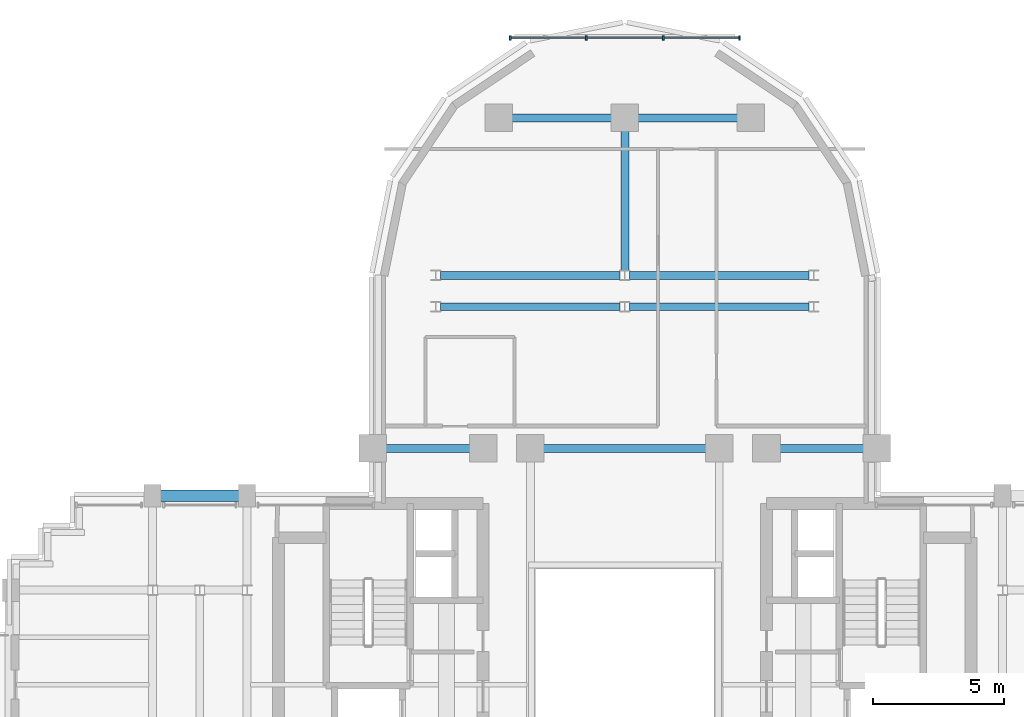
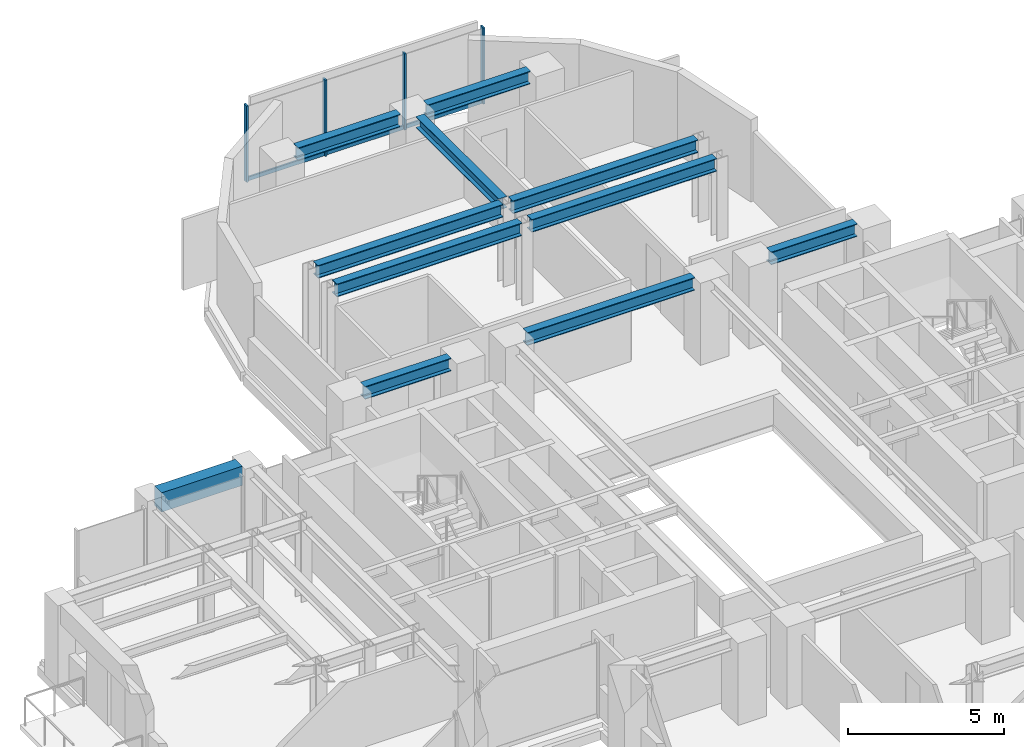
# One storey, part 6 of 13: 11 beams, 7 members, 1 element without a shape of its own.
"""IFC4 building model written with IfcOpenShell, lengths in metres."""

from ifc_helpers import new_model, si_unit, direction, frame, origin, origin_2d, place, context, subcontext, project, spatial, rectangle, i_section, extrude, source, transform, mapped, material, material_profile, profile_set, type_object, element, aggregate, save


model = new_model("IFC4")

# Units and contexts
model_context = context("Model", 3, precision=1e-05, world=origin(), true_north=direction((0.0, 1.0)))
body_context = subcontext(model_context, "Body", "Model", "MODEL_VIEW")
ifc_project = project(units=[si_unit("LENGTHUNIT", "METRE"), si_unit("AREAUNIT", "SQUARE_METRE"), si_unit("VOLUMEUNIT", "CUBIC_METRE"), si_unit("PLANEANGLEUNIT", "RADIAN"), si_unit("MASSUNIT", "GRAM", prefix="KILO")], contexts=[model_context])

# Site, building, storey
site_placement = place(None, origin())
site = spatial("IfcSite", under=ifc_project, at=site_placement, CompositionType="ELEMENT")
building_placement = place(site_placement, origin())
building = spatial("IfcBuilding", under=site, at=building_placement, Name="Keilestroom Media Tower", CompositionType="ELEMENT")
storey_placement = place(building_placement, frame((0.0, 0.0, 104.0)))
storey = spatial("IfcBuildingStorey", under=building, at=storey_placement, Name="L27", CompositionType="ELEMENT", Elevation=104.0)

# Beams
ifc_material_1 = material(Name="Steel S355", Category="steel")
ifc_material_profile_1 = material_profile(ifc_material_1, i_section(OverallWidth=0.300048828125, OverallDepth=0.5, WebThickness=0.012451171875, FlangeThickness=0.028076171875, at=origin_2d()), Name="HEB 500")
ifc_profile_set_1 = profile_set([ifc_material_profile_1], Name="Steel S355")
beam_type_1 = type_object("IfcBeamType", Name="Primary-Structural-Girder-HEB-500", PredefinedType="BEAM", material=ifc_profile_set_1)
shared_shape_1 = source(origin(), body_context, "Body", "SweptSolid", [
    extrude(i_section(OverallWidth=0.300048828125, OverallDepth=0.5, WebThickness=0.012451171875, FlangeThickness=0.028076171875, at=origin_2d()), origin(), (0.0, 0.0, 1.0), 3.7900390625),
])
for number, where, z_axis, x_axis, name in (
    (1, (-4.294921875, 21.60009765625, 2.949951171875), (1.0, 0.0, 0.0), (0.0, 1.0, 0.0), "L27 Beam BG-6 BM-L27-EW-037"),
    (2, (0.5048828125, 21.60009765625, 2.949951171875), (1.0, 0.0, 0.0), (0.0, 1.0, 0.0), "L27 Beam BG-6 BM-L27-EW-038"),
):
    element("IfcBeam", number, at=place(storey_placement, frame(where, z_axis=z_axis, x_axis=x_axis)), inside=storey, type_object=beam_type_1, Name=name, PredefinedType="BEAM", context=body_context, shape_type="MappedRepresentation", body=[
        mapped(shared_shape_1, transform((0.0, 0.0, 0.0), x_axis=(1.0, 0.0, 0.0), y_axis=(0.0, 1.0, 0.0), z_axis=(0.0, 0.0, 1.0), scale=1.0)),
    ])
shared_shape_2 = source(origin(), body_context, "Body", "SweptSolid", [
    extrude(i_section(OverallWidth=0.300048828125, OverallDepth=0.5, WebThickness=0.012451171875, FlangeThickness=0.028076171875, at=origin_2d()), origin(), (0.0, 0.0, 1.0), 6.839111328125),
])
for number, where, z_axis, x_axis, name in (
    (3, (-7.01953125, 14.39990234375, 2.949951171875), (1.0, 0.0, 0.0), (0.0, 1.0, 0.0), "L27 Beam BG-6 BM-L27-EW-033"),
    (4, (0.180419921875, 14.39990234375, 2.949951171875), (1.0, 0.0, 0.0), (0.0, 1.0, 0.0), "L27 Beam BG-6 BM-L27-EW-034"),
    (5, (-7.01953125, 15.60009765625, 2.949951171875), (1.0, 0.0, 0.0), (0.0, 1.0, 0.0), "L27 Beam BG-6 BM-L27-EW-035"),
    (6, (0.180419921875, 15.60009765625, 2.949951171875), (1.0, 0.0, 0.0), (0.0, 1.0, 0.0), "L27 Beam BG-6 BM-L27-EW-036"),
):
    element("IfcBeam", number, at=place(storey_placement, frame(where, z_axis=z_axis, x_axis=x_axis)), inside=storey, type_object=beam_type_1, Name=name, PredefinedType="BEAM", context=body_context, shape_type="MappedRepresentation", body=[
        mapped(shared_shape_2, transform((0.0, 0.0, 0.0), x_axis=(1.0, 0.0, 0.0), y_axis=(0.0, 1.0, 0.0), z_axis=(0.0, 0.0, 1.0), scale=1.0)),
    ])
shared_shape_3 = source(origin(), body_context, "Body", "SweptSolid", [
    extrude(i_section(OverallWidth=0.300048828125, OverallDepth=0.5, WebThickness=0.012451171875, FlangeThickness=0.028076171875, at=origin_2d()), origin(), (0.0, 0.0, 1.0), 3.18994140625),
])
for number, where, z_axis, x_axis, name in (
    (7, (-9.094970703125, 9.0, 2.949951171875), (1.0, 0.0, 0.0), (0.0, 1.0, 0.0), "L27 Beam BG-6 BM-L27-EW-028"),
    (8, (5.905029296875, 9.0, 2.949951171875), (1.0, 0.0, 0.0), (0.0, 1.0, 0.0), "L27 Beam BG-6 BM-L27-EW-032"),
):
    element("IfcBeam", number, at=place(storey_placement, frame(where, z_axis=z_axis, x_axis=x_axis)), inside=storey, type_object=beam_type_1, Name=name, PredefinedType="BEAM", context=body_context, shape_type="MappedRepresentation", body=[
        mapped(shared_shape_3, transform((0.0, 0.0, 0.0), x_axis=(1.0, 0.0, 0.0), y_axis=(0.0, 1.0, 0.0), z_axis=(0.0, 0.0, 1.0), scale=1.0)),
    ])
shared_shape_4 = source(origin(), body_context, "Body", "SweptSolid", [
    extrude(i_section(OverallWidth=0.300048828125, OverallDepth=0.5, WebThickness=0.012451171875, FlangeThickness=0.028076171875, at=origin_2d()), origin(), (0.0, 0.0, 1.0), 6.18994140625),
])
beam_1_placement = place(storey_placement, frame((-3.094970703125, 9.0, 2.949951171875), z_axis=(1.0, 0.0, 0.0), x_axis=(0.0, 1.0, 0.0)))
element("IfcBeam", 9, at=beam_1_placement, inside=storey, type_object=beam_type_1, Name="L27 Beam BG-6 BM-L27-EW-030", PredefinedType="BEAM", context=body_context, shape_type="MappedRepresentation", body=[
    mapped(shared_shape_4, transform((0.0, 0.0, 0.0), x_axis=(1.0, 0.0, 0.0), y_axis=(0.0, 1.0, 0.0), z_axis=(0.0, 0.0, 1.0), scale=1.0)),
])
ifc_material_2 = material(Name="Precast concrete C40/50", Category="concrete")
ifc_material_profile_2 = material_profile(ifc_material_2, rectangle(XDim=0.449951171875, YDim=0.75, at=origin_2d()), Name="PC 450x750")
ifc_profile_set_2 = profile_set([ifc_material_profile_2], Name="Precast concrete C40/50")
beam_type_2 = type_object("IfcBeamType", Name="Perimeter-Spandrel-Beam-PC-450x750", PredefinedType="SPANDREL", material=ifc_profile_set_2)
shared_shape_5 = source(origin(), body_context, "Body", "SweptSolid", [
    extrude(rectangle(XDim=0.449951171875, YDim=0.75, at=origin_2d()), origin(), (0.0, 0.0, 1.0), 2.989990234375),
])
beam_2_placement = place(storey_placement, frame((-17.695068359375, 7.199951171875, 2.824951171875), z_axis=(1.0, 0.0, 0.0), x_axis=(0.0, 1.0, 0.0)))
element("IfcBeam", 10, at=beam_2_placement, inside=storey, type_object=beam_type_2, Name="L27 Beam SPB-1 BM-L27-EW-026", PredefinedType="SPANDREL", context=body_context, shape_type="MappedRepresentation", body=[
    mapped(shared_shape_5, transform((0.0, 0.0, 0.0), x_axis=(1.0, 0.0, 0.0), y_axis=(0.0, 1.0, 0.0), z_axis=(0.0, 0.0, 1.0), scale=1.0)),
])
ifc_material_profile_3 = material_profile(ifc_material_1, i_section(OverallWidth=0.300048828125, OverallDepth=0.43994140625, WebThickness=0.011474609375, FlangeThickness=0.02099609375, at=origin_2d()), Name="HEA 450")
ifc_profile_set_3 = profile_set([ifc_material_profile_3], Name="Steel S355")
beam_type_3 = type_object("IfcBeamType", Name="Primary-Structural-Girder-HEA-450", PredefinedType="BEAM", material=ifc_profile_set_3)
shared_shape_6 = source(origin(), body_context, "Body", "SweptSolid", [
    extrude(i_section(OverallWidth=0.300048828125, OverallDepth=0.43994140625, WebThickness=0.011474609375, FlangeThickness=0.02099609375, at=origin_2d()), origin(), (0.0, 0.0, 1.0), 5.3154296875),
])
beam_3_placement = place(storey_placement, frame((0.0, 15.779541015625, 2.97998046875), z_axis=(0.0, 1.0, 0.0), x_axis=(-1.0, 0.0, 0.0)))
element("IfcBeam", 11, at=beam_3_placement, inside=storey, type_object=beam_type_3, Name="L27 Beam BG-11 BM-L27-NS-055", PredefinedType="BEAM", context=body_context, shape_type="MappedRepresentation", body=[
    mapped(shared_shape_6, transform((0.0, 0.0, 0.0), x_axis=(1.0, 0.0, 0.0), y_axis=(0.0, 1.0, 0.0), z_axis=(0.0, 0.0, 1.0), scale=1.0)),
])

# Curtain wall, members
ifc_material_3 = material(Name="Anodised Aluminium Alloy", Category="aluminium")
curtain_wall_type = type_object("IfcCurtainWallType", Name="Unitised-Curtain-Wall-CW-6", PredefinedType="NOTDEFINED", material=ifc_material_3)
curtain_wall_placement = place(storey_placement, origin())
curtain_wall = element("IfcCurtainWall", 12, at=curtain_wall_placement, inside=storey, type_object=curtain_wall_type, Name="L27 Curtain Wall CW-6 CW-L27-LN-1", PredefinedType="NOTDEFINED")
ifc_material_profile_4 = material_profile(ifc_material_3, rectangle(XDim=0.06494140625, YDim=0.179931640625, at=origin_2d()), Name="ALU MULLION 65x180")
ifc_profile_set_4 = profile_set([ifc_material_profile_4], Name="Anodised Aluminium Alloy")
member_type_1 = type_object("IfcMemberType", Name="Curtain-Wall-Mullion-CW-6", PredefinedType="MULLION", material=ifc_profile_set_4)
shared_shape_7 = source(origin(), body_context, "Body", "SweptSolid", [
    extrude(rectangle(XDim=0.06494140625, YDim=0.179931640625, at=origin_2d()), origin(), (0.0, 0.0, 1.0), 2.97998046875),
])
member_1_placement = place(storey_placement, frame((-4.367431640625, 24.64990234375, 0.0), z_axis=(0.0, 0.0, 1.0), x_axis=(1.0, 0.0, 0.0)))
member_1 = element("IfcMember", 13, at=member_1_placement, type_object=member_type_1, Name="CW-6 Mullion 00", PredefinedType="MULLION", context=body_context, shape_type="MappedRepresentation", body=[
    mapped(shared_shape_7, transform((0.0, 0.0, 0.0), x_axis=(1.0, 0.0, 0.0), y_axis=(0.0, 1.0, 0.0), z_axis=(0.0, 0.0, 1.0), scale=1.0)),
])
member_2_placement = place(storey_placement, frame((-1.466796875, 24.64990234375, 0.0), z_axis=(0.0, 0.0, 1.0), x_axis=(1.0, 0.0, 0.0)))
member_2 = element("IfcMember", 14, at=member_2_placement, type_object=member_type_1, Name="CW-6 Mullion 01", PredefinedType="MULLION", context=body_context, shape_type="MappedRepresentation", body=[
    mapped(shared_shape_7, transform((0.0, 0.0, 0.0), x_axis=(1.0, 0.0, 0.0), y_axis=(0.0, 1.0, 0.0), z_axis=(0.0, 0.0, 1.0), scale=1.0)),
])
member_3_placement = place(storey_placement, frame((1.466796875, 24.64990234375, 0.0), z_axis=(0.0, 0.0, 1.0), x_axis=(1.0, 0.0, 0.0)))
member_3 = element("IfcMember", 15, at=member_3_placement, type_object=member_type_1, Name="CW-6 Mullion 02", PredefinedType="MULLION", context=body_context, shape_type="MappedRepresentation", body=[
    mapped(shared_shape_7, transform((0.0, 0.0, 0.0), x_axis=(1.0, 0.0, 0.0), y_axis=(0.0, 1.0, 0.0), z_axis=(0.0, 0.0, 1.0), scale=1.0)),
])
member_4_placement = place(storey_placement, frame((4.367431640625, 24.64990234375, 0.0), z_axis=(0.0, 0.0, 1.0), x_axis=(1.0, 0.0, 0.0)))
member_4 = element("IfcMember", 16, at=member_4_placement, type_object=member_type_1, Name="CW-6 Mullion 03", PredefinedType="MULLION", context=body_context, shape_type="MappedRepresentation", body=[
    mapped(shared_shape_7, transform((0.0, 0.0, 0.0), x_axis=(1.0, 0.0, 0.0), y_axis=(0.0, 1.0, 0.0), z_axis=(0.0, 0.0, 1.0), scale=1.0)),
])
ifc_material_profile_5 = material_profile(ifc_material_3, rectangle(XDim=0.06494140625, YDim=0.14990234375, at=origin_2d()), Name="ALU TRANSOM 65x150")
ifc_profile_set_5 = profile_set([ifc_material_profile_5], Name="Anodised Aluminium Alloy")
member_type_2 = type_object("IfcMemberType", Name="Curtain-Wall-Transom-CW-6", PredefinedType="USERDEFINED", material=ifc_profile_set_5)
shared_shape_8 = source(origin(), body_context, "Body", "SweptSolid", [
    extrude(rectangle(XDim=0.06494140625, YDim=0.14990234375, at=origin_2d()), origin(), (0.0, 0.0, 1.0), 2.839599609375),
])
member_5_placement = place(storey_placement, frame((-4.3369140625, 24.64990234375, 0.074951171875), z_axis=(1.0, 0.0, 0.0), x_axis=(0.0, 1.0, 0.0)))
member_5 = element("IfcMember", 17, at=member_5_placement, type_object=member_type_2, Name="CW-6 Transom 00.1", ObjectType="TRANSOM", PredefinedType="USERDEFINED", context=body_context, shape_type="MappedRepresentation", body=[
    mapped(shared_shape_8, transform((0.0, 0.0, 0.0), x_axis=(1.0, 0.0, 0.0), y_axis=(0.0, 1.0, 0.0), z_axis=(0.0, 0.0, 1.0), scale=1.0)),
])
member_6_placement = place(storey_placement, frame((1.497314453125, 24.64990234375, 0.074951171875), z_axis=(1.0, 0.0, 0.0), x_axis=(0.0, 1.0, 0.0)))
member_6 = element("IfcMember", 18, at=member_6_placement, type_object=member_type_2, Name="CW-6 Transom 02.1", ObjectType="TRANSOM", PredefinedType="USERDEFINED", context=body_context, shape_type="MappedRepresentation", body=[
    mapped(shared_shape_8, transform((0.0, 0.0, 0.0), x_axis=(1.0, 0.0, 0.0), y_axis=(0.0, 1.0, 0.0), z_axis=(0.0, 0.0, 1.0), scale=1.0)),
])
shared_shape_9 = source(origin(), body_context, "Body", "SweptSolid", [
    extrude(rectangle(XDim=0.06494140625, YDim=0.14990234375, at=origin_2d()), origin(), (0.0, 0.0, 1.0), 2.87255859375),
])
member_7_placement = place(storey_placement, frame((-1.436279296875, 24.64990234375, 0.074951171875), z_axis=(1.0, 0.0, 0.0), x_axis=(0.0, 1.0, 0.0)))
member_7 = element("IfcMember", 19, at=member_7_placement, type_object=member_type_2, Name="CW-6 Transom 01.1", ObjectType="TRANSOM", PredefinedType="USERDEFINED", context=body_context, shape_type="MappedRepresentation", body=[
    mapped(shared_shape_9, transform((0.0, 0.0, 0.0), x_axis=(1.0, 0.0, 0.0), y_axis=(0.0, 1.0, 0.0), z_axis=(0.0, 0.0, 1.0), scale=1.0)),
])
aggregate(curtain_wall, [member_1, member_2, member_3, member_4, member_5, member_7, member_6])

save(model, "model.ifc")
